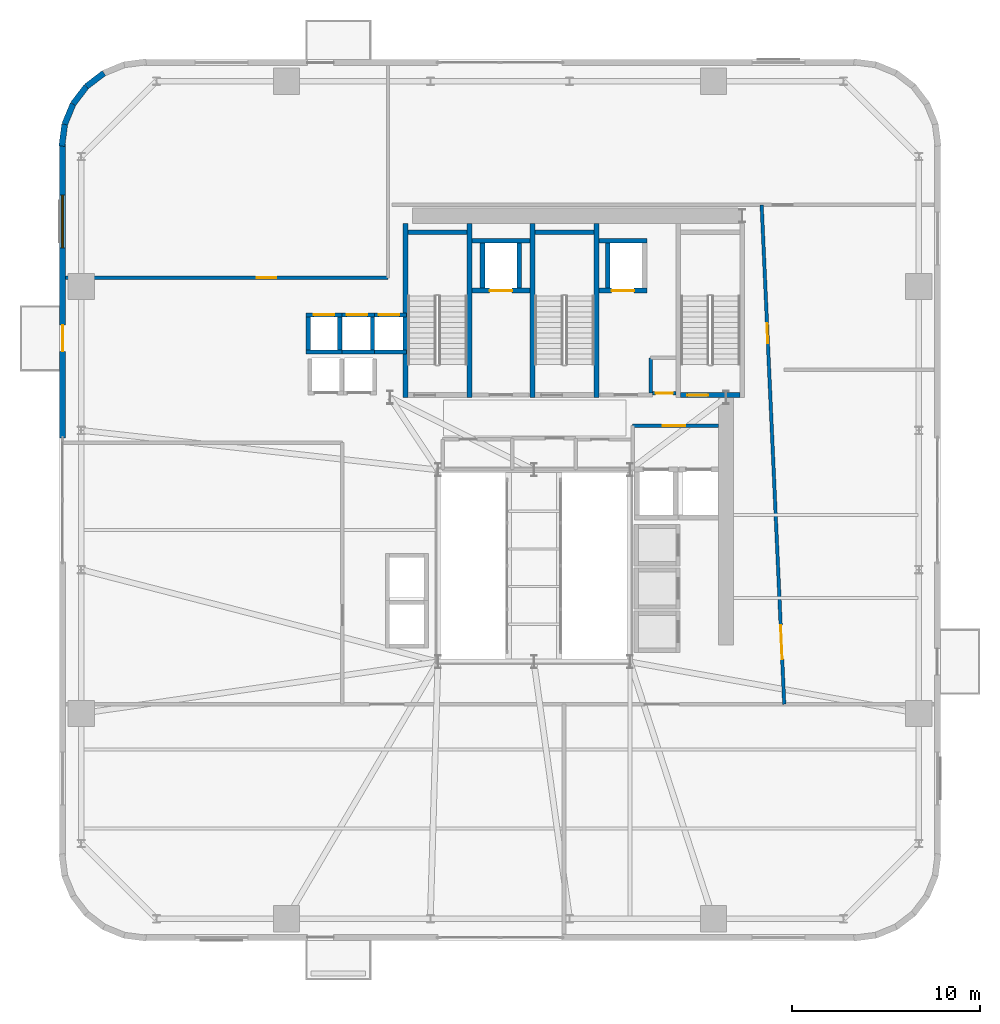
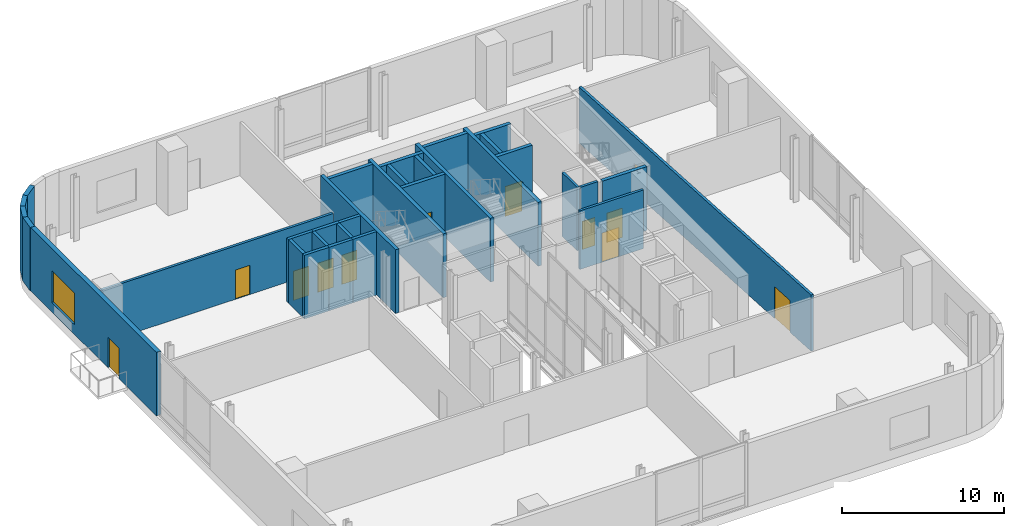
# One storey, part 10 of 14: 33 walls, 12 doors, 1 window, 13 openings.
"""IFC4 building model written with IfcOpenShell, lengths in metres."""

from ifc_helpers import new_model, si_unit, direction, frame, frame_2d, origin, place, context, subcontext, project, spatial, rectangle, extrude, source, transform, mapped, material, layer, layer_set, type_object, element, fill, save


model = new_model("IFC4")

# Units and contexts
model_context = context("Model", 3, precision=1e-05, world=origin(), true_north=direction((0.0, 1.0)))
body_context = subcontext(model_context, "Body", "Model", "MODEL_VIEW")
ifc_project = project(units=[si_unit("LENGTHUNIT", "METRE"), si_unit("AREAUNIT", "SQUARE_METRE"), si_unit("VOLUMEUNIT", "CUBIC_METRE"), si_unit("PLANEANGLEUNIT", "RADIAN"), si_unit("MASSUNIT", "GRAM", prefix="KILO")], contexts=[model_context])

# Site, building, storey
site_placement = place(None, origin())
site = spatial("IfcSite", under=ifc_project, at=site_placement, CompositionType="ELEMENT")
building_placement = place(site_placement, origin())
building = spatial("IfcBuilding", under=site, at=building_placement, Name="Vardaveli Station Tower", CompositionType="ELEMENT")
storey_placement = place(building_placement, frame((0.0, 0.0, 172.199951171875)))
storey = spatial("IfcBuildingStorey", under=building, at=storey_placement, Name="L44", CompositionType="ELEMENT", Elevation=172.199951171875)

# Wall, openings, door, window
ifc_material_1 = material(Name="Precast concrete C45/55", Category="concrete")
ifc_layer_1 = layer(ifc_material_1, 0.320068359375, Name="Precast concrete C45/55")
ifc_layer_set_1 = layer_set([ifc_layer_1], Name="Precast concrete C45/55")
wall_type_1 = type_object("IfcWallType", Name="WAL-EXT-STONE-320", PredefinedType="SOLIDWALL", material=ifc_layer_set_1)
shared_shape_1 = source(origin(), body_context, "Body", "SweptSolid", [
    extrude(rectangle(XDim=15.60009765625, YDim=0.320068359375, at=frame_2d((7.800048828125, 0.0))), origin(), (0.0, 0.0, 1.0), 4.780029296875),
])
wall_1_placement = place(storey_placement, frame((11.260009765625, 44.10009765625, 0.0), z_axis=(0.0, 0.0, 1.0), x_axis=(0.0, -1.0, 0.0)))
wall_1 = element("IfcWall", 1, at=wall_1_placement, inside=storey, type_object=wall_type_1, Name="EW-L44-W1", PredefinedType="SOLIDWALL", context=body_context, shape_type="MappedRepresentation", body=[
    mapped(shared_shape_1, transform((0.0, 0.0, 0.0), scale=1.0)),
])
shared_shape_2 = source(origin(), body_context, "Body", "SweptSolid", [
    extrude(rectangle(XDim=1.39990234375, YDim=2.300048828125, at=frame_2d((0.699951171875, 1.14990234375))), frame((0.0, 0.169921875, 0.0), z_axis=(0.0, -1.0, 0.0), x_axis=(1.0, 0.0, 0.0)), (0.0, 0.0, 1.0), 0.340087890625),
])
opening_1_placement = place(wall_1_placement, frame((9.6103515625, 0.0, 0.0)))
opening_1 = element("IfcOpeningElement", 2, at=opening_1_placement, cuts=wall_1, Name="Opening D-09", PredefinedType="OPENING", context=body_context, shape_type="MappedRepresentation", body=[
    mapped(shared_shape_2, transform((0.0, 0.0, 0.0), scale=1.0)),
])
shared_shape_3 = source(origin(), body_context, "Body", "SweptSolid", [
    extrude(rectangle(XDim=2.800048828125, YDim=2.39990234375, at=frame_2d((1.39990234375, 1.199951171875))), frame((0.0, 0.169921875, 0.0), z_axis=(0.0, -1.0, 0.0), x_axis=(1.0, 0.0, 0.0)), (0.0, 0.0, 1.0), 0.340087890625),
])
opening_2_placement = place(wall_1_placement, frame((2.705078125, 0.0, 0.719970703125)))
opening_2 = element("IfcOpeningElement", 3, at=opening_2_placement, cuts=wall_1, Name="Opening W-04", PredefinedType="OPENING", context=body_context, shape_type="MappedRepresentation", body=[
    mapped(shared_shape_3, transform((0.0, 0.0, 0.0), scale=1.0)),
])
ifc_material_2 = material(Name="Thermally broken aluminium glass", Category="aluminium")
door_type_1 = type_object("IfcDoorType", Name="DR-LOG-1400x2300", OperationType="DOUBLE_DOOR_SLIDING", PredefinedType="DOOR", material=ifc_material_2)
shared_shape_4 = source(origin(), body_context, "Body", "SweptSolid", [
    extrude(rectangle(XDim=1.39990234375, YDim=2.300048828125, at=frame_2d((0.699951171875, 1.14990234375))), frame((0.0, 0.02490234375, 0.0), z_axis=(0.0, -1.0, 0.0), x_axis=(1.0, 0.0, 0.0)), (0.0, 0.0, 1.0), 0.050048828125),
])
door_1_placement = place(opening_1_placement, frame((1.39990234375, 0.0, 0.0), z_axis=(0.0, 0.0, 1.0), x_axis=(-1.0, 0.0, 0.0)))
door_1 = element("IfcDoor", 4, at=door_1_placement, inside=storey, type_object=door_type_1, Name="DLG-L44-W", OperationType="DOUBLE_DOOR_SLIDING", OverallHeight=2.300048828125, OverallWidth=1.39990234375, PredefinedType="DOOR", context=body_context, shape_type="MappedRepresentation", body=[
    mapped(shared_shape_4, transform((0.0, 0.0, 0.0), scale=1.0)),
])
fill(opening_1, door_1)
ifc_material_3 = material(Name="Low-E solar-control glass", Category="glass")
window_type = type_object("IfcWindowType", Name="WIN-SUITE-2800x2400", PartitioningType="SINGLE_PANEL", PredefinedType="WINDOW", material=ifc_material_3)
shared_shape_5 = source(origin(), body_context, "Body", "SweptSolid", [
    extrude(rectangle(XDim=2.800048828125, YDim=2.39990234375, at=frame_2d((1.39990234375, 1.199951171875))), frame((0.0, 0.030029296875, 0.0), z_axis=(0.0, -1.0, 0.0), x_axis=(1.0, 0.0, 0.0)), (0.0, 0.0, 1.0), 0.06005859375),
])
window_placement = place(opening_2_placement, origin())
window = element("IfcWindow", 5, at=window_placement, inside=storey, type_object=window_type, Name="WN-L44-W1", OverallHeight=2.39990234375, OverallWidth=2.800048828125, PartitioningType="SINGLE_PANEL", PredefinedType="WINDOW", context=body_context, shape_type="MappedRepresentation", body=[
    mapped(shared_shape_5, transform((0.0, 0.0, 0.0), scale=1.0)),
])
fill(opening_2, window)

# Walls
shared_shape_6 = source(origin(), body_context, "Body", "SweptSolid", [
    extrude(rectangle(XDim=1.1689453125, YDim=0.320068359375, at=frame_2d((0.58447265625, 0.0))), origin(), (0.0, 0.0, 1.0), 4.780029296875),
])
wall_2_placement = place(storey_placement, frame((12.53125, 47.1689453125, 0.0), z_axis=(0.0, 0.0, 1.0), x_axis=(-0.608387696831, -0.793639975269, 0.0)))
element("IfcWall", 6, at=wall_2_placement, inside=storey, type_object=wall_type_1, Name="EW-L44-CR4-4", PredefinedType="SOLIDWALL", context=body_context, shape_type="MappedRepresentation", body=[
    mapped(shared_shape_6, transform((0.0, 0.0, 0.0), scale=1.0)),
])
shared_shape_7 = source(origin(), body_context, "Body", "SweptSolid", [
    extrude(rectangle(XDim=1.168701171875, YDim=0.320068359375, at=frame_2d((0.58447265625, 0.0))), origin(), (0.0, 0.0, 1.0), 4.780029296875),
])
wall_3_placement = place(storey_placement, frame((13.458740234375, 47.8798828125, 0.0), z_axis=(0.0, 0.0, 1.0), x_axis=(-0.793663520347, -0.608356981114, 0.0)))
element("IfcWall", 7, at=wall_3_placement, inside=storey, type_object=wall_type_1, Name="EW-L44-CR4-3", PredefinedType="SOLIDWALL", context=body_context, shape_type="MappedRepresentation", body=[
    mapped(shared_shape_7, transform((0.0, 0.0, 0.0), scale=1.0)),
])
shared_shape_8 = source(origin(), body_context, "Body", "SweptSolid", [
    extrude(rectangle(XDim=1.17041015625, YDim=0.320068359375, at=frame_2d((0.585205078125, 0.0))), origin(), (0.0, 0.0, 1.0), 4.780029296875),
])
wall_4_placement = place(storey_placement, frame((11.37451171875, 45.16015625, 0.0), z_axis=(0.0, 0.0, 1.0), x_axis=(-0.128295670475, -0.991735963317, 0.0)))
element("IfcWall", 8, at=wall_4_placement, inside=storey, type_object=wall_type_1, Name="EW-L44-CR4-6", PredefinedType="SOLIDWALL", context=body_context, shape_type="MappedRepresentation", body=[
    mapped(shared_shape_8, transform((0.0, 0.0, 0.0), scale=1.0)),
])
shared_shape_9 = source(origin(), body_context, "Body", "SweptSolid", [
    extrude(rectangle(XDim=1.169189453125, YDim=0.320068359375, at=frame_2d((0.58447265625, 0.0))), origin(), (0.0, 0.0, 1.0), 4.780029296875),
])
wall_5_placement = place(storey_placement, frame((11.820068359375, 46.2412109375, 0.0), z_axis=(0.0, 0.0, 1.0), x_axis=(-0.381054331552, -0.924552646638, 0.0)))
element("IfcWall", 9, at=wall_5_placement, inside=storey, type_object=wall_type_1, Name="EW-L44-CR4-5", PredefinedType="SOLIDWALL", context=body_context, shape_type="MappedRepresentation", body=[
    mapped(shared_shape_9, transform((0.0, 0.0, 0.0), scale=1.0)),
])
ifc_material_4 = material(Name="Concrete C40/50", Category="concrete")
ifc_layer_2 = layer(ifc_material_4, 0.25, Name="Concrete C40/50")
ifc_layer_set_2 = layer_set([ifc_layer_2], Name="Concrete C40/50")
wall_type_2 = type_object("IfcWallType", Name="WAL-SHAFT-250", PredefinedType="SOLIDWALL", material=ifc_layer_set_2)
shared_shape_10 = source(origin(), body_context, "Body", "SweptSolid", [
    extrude(rectangle(XDim=9.25, YDim=0.25, at=frame_2d((4.625, 0.0))), origin(), (0.0, 0.0, 1.0), 4.800048828125),
])
for number, where, z_axis, x_axis, name in (
    (10, (29.47509765625, 30.64990234375, 0.0), (0.0, 0.0, 1.0), (0.0, 1.0, 0.0), "W-L44-ST-1W"),
    (11, (32.875, 30.64990234375, 0.0), (0.0, 0.0, 1.0), (0.0, 1.0, 0.0), "W-L44-ST-1E"),
    (12, (36.22509765625, 30.64990234375, 0.0), (0.0, 0.0, 1.0), (0.0, 1.0, 0.0), "W-L44-ST-2W"),
    (13, (39.625, 30.64990234375, 0.0), (0.0, 0.0, 1.0), (0.0, 1.0, 0.0), "W-L44-ST-2E"),
):
    element("IfcWall", number, at=place(storey_placement, frame(where, z_axis=z_axis, x_axis=x_axis)), inside=storey, type_object=wall_type_2, Name=name, PredefinedType="SOLIDWALL", context=body_context, shape_type="MappedRepresentation", body=[
        mapped(shared_shape_10, transform((0.0, 0.0, 0.0), scale=1.0)),
    ])
shared_shape_11 = source(origin(), body_context, "Body", "SweptSolid", [
    extrude(rectangle(XDim=3.14990234375, YDim=0.25, at=frame_2d((1.574951171875, 0.0))), origin(), (0.0, 0.0, 1.0), 4.800048828125),
])
for number, where, z_axis, x_axis, name in (
    (14, (29.60009765625, 39.425048828125, 0.0), (0.0, 0.0, 1.0), (1.0, 0.0, 0.0), "W-L44-ST-1N"),
    (15, (36.35009765625, 39.425048828125, 0.0), (0.0, 0.0, 1.0), (1.0, 0.0, 0.0), "W-L44-ST-2N"),
):
    element("IfcWall", number, at=place(storey_placement, frame(where, z_axis=z_axis, x_axis=x_axis)), inside=storey, type_object=wall_type_2, Name=name, PredefinedType="SOLIDWALL", context=body_context, shape_type="MappedRepresentation", body=[
        mapped(shared_shape_11, transform((0.0, 0.0, 0.0), scale=1.0)),
    ])

# Wall, opening, door
wall_6_placement = place(storey_placement, frame((44.10009765625, 30.77490234375, 0.0), z_axis=(0.0, 0.0, 1.0), x_axis=(1.0, 0.0, 0.0)))
wall_6 = element("IfcWall", 16, at=wall_6_placement, inside=storey, type_object=wall_type_2, Name="W-L44-ST-3S", PredefinedType="SOLIDWALL", context=body_context, shape_type="MappedRepresentation", body=[
    mapped(shared_shape_11, transform((0.0, 0.0, 0.0), scale=1.0)),
])
shared_shape_12 = source(origin(), body_context, "Body", "SweptSolid", [
    extrude(rectangle(XDim=1.10009765625, YDim=2.199951171875, at=frame_2d((0.550048828125, 1.10009765625))), frame((0.0, 0.135009765625, 0.0), z_axis=(0.0, -1.0, 0.0), x_axis=(1.0, 0.0, 0.0)), (0.0, 0.0, 1.0), 0.27001953125),
])
opening_3_placement = place(wall_6_placement, frame((0.35009765625, 0.0, 0.0)))
opening_3 = element("IfcOpeningElement", 17, at=opening_3_placement, cuts=wall_6, Name="Opening D-04", PredefinedType="OPENING", context=body_context, shape_type="MappedRepresentation", body=[
    mapped(shared_shape_12, transform((0.0, 0.0, 0.0), scale=1.0)),
])
ifc_material_5 = material(Name="Steel smokeproof fire doorset", Category="steel")
door_type_2 = type_object("IfcDoorType", Name="DR-ST-1100x2200", OperationType="NOTDEFINED", PredefinedType="DOOR", material=ifc_material_5)
shared_shape_13 = source(origin(), body_context, "Body", "SweptSolid", [
    extrude(rectangle(XDim=1.10009765625, YDim=2.199951171875, at=frame_2d((0.550048828125, 1.10009765625))), frame((0.0, 0.02490234375, 0.0), z_axis=(0.0, -1.0, 0.0), x_axis=(1.0, 0.0, 0.0)), (0.0, 0.0, 1.0), 0.050048828125),
])
door_2_placement = place(opening_3_placement, origin())
door_2 = element("IfcDoor", 18, at=door_2_placement, inside=storey, type_object=door_type_2, Name="DST-3-L44", OperationType="SINGLE_SWING_LEFT", OverallHeight=2.199951171875, OverallWidth=1.10009765625, PredefinedType="DOOR", context=body_context, shape_type="MappedRepresentation", body=[
    mapped(shared_shape_13, transform((0.0, 0.0, 0.0), scale=1.0)),
])
fill(opening_3, door_2)

# Wall
ifc_layer_3 = layer(ifc_material_4, 0.219970703125, Name="Concrete C40/50")
ifc_layer_set_3 = layer_set([ifc_layer_3], Name="Concrete C40/50")
wall_type_3 = type_object("IfcWallType", Name="WAL-FFLOBBY-220", PredefinedType="SOLIDWALL", material=ifc_layer_set_3)
shared_shape_14 = source(origin(), body_context, "Body", "SweptSolid", [
    extrude(rectangle(XDim=1.889892578125, YDim=0.219970703125, at=frame_2d((0.94482421875, 0.0))), origin(), (0.0, 0.0, 1.0), 4.780029296875),
])
wall_7_placement = place(storey_placement, frame((24.205078125, 33.06494140625, 0.0), z_axis=(0.0, 0.0, 1.0), x_axis=(1.0, 0.0, 0.0)))
element("IfcWall", 19, at=wall_7_placement, inside=storey, type_object=wall_type_3, Name="SHW-HL2-01-L44-S", PredefinedType="SOLIDWALL", context=body_context, shape_type="MappedRepresentation", body=[
    mapped(shared_shape_14, transform((0.0, 0.0, 0.0), scale=1.0)),
])

# Wall, opening, door
wall_8_placement = place(storey_placement, frame((24.205078125, 35.034912109375, 0.0), z_axis=(0.0, 0.0, 1.0), x_axis=(1.0, 0.0, 0.0)))
wall_8 = element("IfcWall", 20, at=wall_8_placement, inside=storey, type_object=wall_type_3, Name="SHW-HL2-01-L44-N", PredefinedType="SOLIDWALL", context=body_context, shape_type="MappedRepresentation", body=[
    mapped(shared_shape_14, transform((0.0, 0.0, 0.0), scale=1.0)),
])
shared_shape_15 = source(origin(), body_context, "Body", "SweptSolid", [
    extrude(rectangle(XDim=1.10009765625, YDim=2.199951171875, at=frame_2d((0.550048828125, 1.10009765625))), frame((0.0, 0.1201171875, 0.0), z_axis=(0.0, -1.0, 0.0), x_axis=(1.0, 0.0, 0.0)), (0.0, 0.0, 1.0), 0.239990234375),
])
opening_4_placement = place(wall_8_placement, frame((0.39501953125, 0.0, 0.0)))
opening_4 = element("IfcOpeningElement", 21, at=opening_4_placement, cuts=wall_8, Name="Opening LD-01", PredefinedType="OPENING", context=body_context, shape_type="MappedRepresentation", body=[
    mapped(shared_shape_15, transform((0.0, 0.0, 0.0), scale=1.0)),
])
ifc_material_6 = material(Name="Brushed stainless steel", Category="steel")
door_type_3 = type_object("IfcDoorType", Name="DR-LD-1100x2200", OperationType="DOUBLE_DOOR_SLIDING", PredefinedType="DOOR", material=ifc_material_6)
door_3_placement = place(opening_4_placement, origin())
door_3 = element("IfcDoor", 22, at=door_3_placement, inside=storey, type_object=door_type_3, Name="LD-HL2-01-L44", OperationType="DOUBLE_DOOR_SLIDING", OverallHeight=2.199951171875, OverallWidth=1.10009765625, PredefinedType="DOOR", context=body_context, shape_type="MappedRepresentation", body=[
    mapped(shared_shape_13, transform((0.0, 0.0, 0.0), scale=1.0)),
])
fill(opening_4, door_3)

# Wall
wall_9_placement = place(storey_placement, frame((25.955078125, 33.06494140625, 0.0), z_axis=(0.0, 0.0, 1.0), x_axis=(1.0, 0.0, 0.0)))
element("IfcWall", 23, at=wall_9_placement, inside=storey, type_object=wall_type_3, Name="SHW-HL2-02-L44-S", PredefinedType="SOLIDWALL", context=body_context, shape_type="MappedRepresentation", body=[
    mapped(shared_shape_14, transform((0.0, 0.0, 0.0), scale=1.0)),
])

# Wall, opening, door
wall_10_placement = place(storey_placement, frame((25.955078125, 35.034912109375, 0.0), z_axis=(0.0, 0.0, 1.0), x_axis=(1.0, 0.0, 0.0)))
wall_10 = element("IfcWall", 24, at=wall_10_placement, inside=storey, type_object=wall_type_3, Name="SHW-HL2-02-L44-N", PredefinedType="SOLIDWALL", context=body_context, shape_type="MappedRepresentation", body=[
    mapped(shared_shape_14, transform((0.0, 0.0, 0.0), scale=1.0)),
])
opening_5_placement = place(wall_10_placement, frame((0.39501953125, 0.0, 0.0)))
opening_5 = element("IfcOpeningElement", 25, at=opening_5_placement, cuts=wall_10, Name="Opening LD-01", PredefinedType="OPENING", context=body_context, shape_type="MappedRepresentation", body=[
    mapped(shared_shape_15, transform((0.0, 0.0, 0.0), scale=1.0)),
])
door_4_placement = place(opening_5_placement, origin())
door_4 = element("IfcDoor", 26, at=door_4_placement, inside=storey, type_object=door_type_3, Name="LD-HL2-02-L44", OperationType="DOUBLE_DOOR_SLIDING", OverallHeight=2.199951171875, OverallWidth=1.10009765625, PredefinedType="DOOR", context=body_context, shape_type="MappedRepresentation", body=[
    mapped(shared_shape_13, transform((0.0, 0.0, 0.0), scale=1.0)),
])
fill(opening_5, door_4)

# Wall
wall_11_placement = place(storey_placement, frame((27.655029296875, 33.06494140625, 0.0), z_axis=(0.0, 0.0, 1.0), x_axis=(1.0, 0.0, 0.0)))
element("IfcWall", 27, at=wall_11_placement, inside=storey, type_object=wall_type_3, Name="SHW-HL2-03-L44-S", PredefinedType="SOLIDWALL", context=body_context, shape_type="MappedRepresentation", body=[
    mapped(shared_shape_14, transform((0.0, 0.0, 0.0), scale=1.0)),
])

# Wall, opening, door
wall_12_placement = place(storey_placement, frame((27.655029296875, 35.034912109375, 0.0), z_axis=(0.0, 0.0, 1.0), x_axis=(1.0, 0.0, 0.0)))
wall_12 = element("IfcWall", 28, at=wall_12_placement, inside=storey, type_object=wall_type_3, Name="SHW-HL2-03-L44-N", PredefinedType="SOLIDWALL", context=body_context, shape_type="MappedRepresentation", body=[
    mapped(shared_shape_14, transform((0.0, 0.0, 0.0), scale=1.0)),
])
opening_6_placement = place(wall_12_placement, frame((0.39501953125, 0.0, 0.0)))
opening_6 = element("IfcOpeningElement", 29, at=opening_6_placement, cuts=wall_12, Name="Opening LD-01", PredefinedType="OPENING", context=body_context, shape_type="MappedRepresentation", body=[
    mapped(shared_shape_15, transform((0.0, 0.0, 0.0), scale=1.0)),
])
door_5_placement = place(opening_6_placement, origin())
door_5 = element("IfcDoor", 30, at=door_5_placement, inside=storey, type_object=door_type_3, Name="LD-HL2-03-L44", OperationType="DOUBLE_DOOR_SLIDING", OverallHeight=2.199951171875, OverallWidth=1.10009765625, PredefinedType="DOOR", context=body_context, shape_type="MappedRepresentation", body=[
    mapped(shared_shape_13, transform((0.0, 0.0, 0.0), scale=1.0)),
])
fill(opening_6, door_5)

# Walls
shared_shape_16 = source(origin(), body_context, "Body", "SweptSolid", [
    extrude(rectangle(XDim=1.75, YDim=0.219970703125, at=frame_2d((0.875, 0.0))), origin(), (0.0, 0.0, 1.0), 4.780029296875),
])
for number, where, z_axis, x_axis, name in (
    (31, (24.31494140625, 33.175048828125, 0.0), (0.0, 0.0, 1.0), (0.0, 1.0, 0.0), "SHW-HL2-01-L44-W"),
    (32, (25.985107421875, 33.175048828125, 0.0), (0.0, 0.0, 1.0), (0.0, 1.0, 0.0), "SHW-HL2-01-L44-E"),
    (33, (27.735107421875, 33.175048828125, 0.0), (0.0, 0.0, 1.0), (0.0, 1.0, 0.0), "SHW-HL2-02-L44-E"),
):
    element("IfcWall", number, at=place(storey_placement, frame(where, z_axis=z_axis, x_axis=x_axis)), inside=storey, type_object=wall_type_3, Name=name, PredefinedType="SOLIDWALL", context=body_context, shape_type="MappedRepresentation", body=[
        mapped(shared_shape_16, transform((0.0, 0.0, 0.0), scale=1.0)),
    ])

# Wall, opening, door
shared_shape_17 = source(origin(), body_context, "Body", "SweptSolid", [
    extrude(rectangle(XDim=3.10009765625, YDim=0.25, at=frame_2d((1.550048828125, 0.0))), origin(), (0.0, 0.0, 1.0), 4.780029296875),
])
wall_13_placement = place(storey_placement, frame((33.0, 36.324951171875, 0.0), z_axis=(0.0, 0.0, 1.0), x_axis=(1.0, 0.0, 0.0)))
wall_13 = element("IfcWall", 34, at=wall_13_placement, inside=storey, type_object=wall_type_2, Name="SHW-FFL-01-L44-S", PredefinedType="SOLIDWALL", context=body_context, shape_type="MappedRepresentation", body=[
    mapped(shared_shape_17, transform((0.0, 0.0, 0.0), scale=1.0)),
])
shared_shape_18 = source(origin(), body_context, "Body", "SweptSolid", [
    extrude(rectangle(XDim=1.199951171875, YDim=2.25, at=frame_2d((0.60009765625, 1.125))), frame((0.0, 0.135009765625, 0.0), z_axis=(0.0, -1.0, 0.0), x_axis=(1.0, 0.0, 0.0)), (0.0, 0.0, 1.0), 0.27001953125),
])
opening_7_placement = place(wall_13_placement, frame((0.949951171875, 0.0, 0.0)))
opening_7 = element("IfcOpeningElement", 35, at=opening_7_placement, cuts=wall_13, Name="Opening LD-02", PredefinedType="OPENING", context=body_context, shape_type="MappedRepresentation", body=[
    mapped(shared_shape_18, transform((0.0, 0.0, 0.0), scale=1.0)),
])
door_type_4 = type_object("IfcDoorType", Name="DR-LD-1200x2250", OperationType="DOUBLE_DOOR_SLIDING", PredefinedType="DOOR", material=ifc_material_6)
shared_shape_19 = source(origin(), body_context, "Body", "SweptSolid", [
    extrude(rectangle(XDim=1.199951171875, YDim=2.25, at=frame_2d((0.60009765625, 1.125))), frame((0.0, 0.02490234375, 0.0), z_axis=(0.0, -1.0, 0.0), x_axis=(1.0, 0.0, 0.0)), (0.0, 0.0, 1.0), 0.050048828125),
])
door_6_placement = place(opening_7_placement, origin())
door_6 = element("IfcDoor", 36, at=door_6_placement, inside=storey, type_object=door_type_4, Name="LD-FFL-01-L44", OperationType="DOUBLE_DOOR_SLIDING", OverallHeight=2.25, OverallWidth=1.199951171875, PredefinedType="DOOR", context=body_context, shape_type="MappedRepresentation", body=[
    mapped(shared_shape_19, transform((0.0, 0.0, 0.0), scale=1.0)),
])
fill(opening_7, door_6)

# Walls
wall_14_placement = place(storey_placement, frame((33.0, 38.97509765625, 0.0), z_axis=(0.0, 0.0, 1.0), x_axis=(1.0, 0.0, 0.0)))
element("IfcWall", 37, at=wall_14_placement, inside=storey, type_object=wall_type_2, Name="SHW-FFL-01-L44-N", PredefinedType="SOLIDWALL", context=body_context, shape_type="MappedRepresentation", body=[
    mapped(shared_shape_17, transform((0.0, 0.0, 0.0), scale=1.0)),
])
shared_shape_20 = source(origin(), body_context, "Body", "SweptSolid", [
    extrude(rectangle(XDim=2.400146484375, YDim=0.25, at=frame_2d((1.2001953125, 0.0))), origin(), (0.0, 0.0, 1.0), 4.780029296875),
])
for number, where, z_axis, x_axis, name in (
    (38, (33.574951171875, 36.449951171875, 0.0), (0.0, 0.0, 1.0), (0.0, 1.0, 0.0), "SHW-FFL-01-L44-W"),
    (39, (35.52490234375, 36.449951171875, 0.0), (0.0, 0.0, 1.0), (0.0, 1.0, 0.0), "SHW-FFL-01-L44-E"),
    (40, (40.22509765625, 36.449951171875, 0.0), (0.0, 0.0, 1.0), (0.0, 1.0, 0.0), "SHW-FFL-02-L44-W"),
):
    element("IfcWall", number, at=place(storey_placement, frame(where, z_axis=z_axis, x_axis=x_axis)), inside=storey, type_object=wall_type_2, Name=name, PredefinedType="SOLIDWALL", context=body_context, shape_type="MappedRepresentation", body=[
        mapped(shared_shape_20, transform((0.0, 0.0, 0.0), scale=1.0)),
    ])

# Wall, opening, door
shared_shape_21 = source(origin(), body_context, "Body", "SweptSolid", [
    extrude(rectangle(XDim=2.550048828125, YDim=0.25, at=frame_2d((1.27490234375, 0.0))), origin(), (0.0, 0.0, 1.0), 4.780029296875),
])
wall_15_placement = place(storey_placement, frame((39.75, 36.324951171875, 0.0), z_axis=(0.0, 0.0, 1.0), x_axis=(1.0, 0.0, 0.0)))
wall_15 = element("IfcWall", 41, at=wall_15_placement, inside=storey, type_object=wall_type_2, Name="SHW-FFL-02-L44-S", PredefinedType="SOLIDWALL", context=body_context, shape_type="MappedRepresentation", body=[
    mapped(shared_shape_21, transform((0.0, 0.0, 0.0), scale=1.0)),
])
opening_8_placement = place(wall_15_placement, frame((0.675048828125, 0.0, 0.0)))
opening_8 = element("IfcOpeningElement", 42, at=opening_8_placement, cuts=wall_15, Name="Opening LD-02", PredefinedType="OPENING", context=body_context, shape_type="MappedRepresentation", body=[
    mapped(shared_shape_18, transform((0.0, 0.0, 0.0), scale=1.0)),
])
door_7_placement = place(opening_8_placement, origin())
door_7 = element("IfcDoor", 43, at=door_7_placement, inside=storey, type_object=door_type_4, Name="LD-FFL-02-L44", OperationType="DOUBLE_DOOR_SLIDING", OverallHeight=2.25, OverallWidth=1.199951171875, PredefinedType="DOOR", context=body_context, shape_type="MappedRepresentation", body=[
    mapped(shared_shape_19, transform((0.0, 0.0, 0.0), scale=1.0)),
])
fill(opening_8, door_7)

# Wall
wall_16_placement = place(storey_placement, frame((39.75, 38.97509765625, 0.0), z_axis=(0.0, 0.0, 1.0), x_axis=(1.0, 0.0, 0.0)))
element("IfcWall", 44, at=wall_16_placement, inside=storey, type_object=wall_type_2, Name="SHW-FFL-02-L44-N", PredefinedType="SOLIDWALL", context=body_context, shape_type="MappedRepresentation", body=[
    mapped(shared_shape_21, transform((0.0, 0.0, 0.0), scale=1.0)),
])

# Wall, openings, doors
ifc_material_7 = material(Name="Fire-rated gypsum stud partition")
ifc_layer_4 = layer(ifc_material_7, 0.179931640625, Name="Fire-rated gypsum stud partition")
ifc_layer_set_4 = layer_set([ifc_layer_4], Name="Fire-rated gypsum stud partition")
wall_type_4 = type_object("IfcWallType", Name="WAL-CORR-180", PredefinedType="PARTITIONING", material=ifc_layer_set_4)
shared_shape_22 = source(origin(), body_context, "Body", "SweptSolid", [
    extrude(rectangle(XDim=26.556884765625, YDim=0.179931640625, at=frame_2d((13.2783203125, 0.0))), origin(), (0.0, 0.0, 1.0), 4.22216796875),
])
wall_17_placement = place(storey_placement, frame((49.60009765625, 14.35009765625, 0.0), z_axis=(0.0, 0.0, 1.0), x_axis=(-0.045193318299, 0.998978260014, 0.0)))
wall_17 = element("IfcWall", 45, at=wall_17_placement, inside=storey, type_object=wall_type_4, Name="W-L44-VIPE", PredefinedType="PARTITIONING", context=body_context, shape_type="MappedRepresentation", body=[
    mapped(shared_shape_22, transform((0.0, 0.0, 0.0), scale=1.0)),
])
shared_shape_23 = source(origin(), body_context, "Body", "SweptSolid", [
    extrude(rectangle(XDim=1.800048828125, YDim=2.39990234375, at=frame_2d((0.89990234375, 1.199951171875))), frame((0.0, 0.10009765625, 0.0), z_axis=(0.0, -1.0, 0.0), x_axis=(1.0, 0.0, 0.0)), (0.0, 0.0, 1.0), 0.199951171875),
])
opening_9_placement = place(wall_17_placement, frame((2.39990234375, 0.0, 0.0)))
opening_9 = element("IfcOpeningElement", 46, at=opening_9_placement, cuts=wall_17, Name="Opening D-01", PredefinedType="OPENING", context=body_context, shape_type="MappedRepresentation", body=[
    mapped(shared_shape_23, transform((0.0, 0.0, 0.0), scale=1.0)),
])
shared_shape_24 = source(origin(), body_context, "Body", "SweptSolid", [
    extrude(rectangle(XDim=1.050048828125, YDim=2.199951171875, at=frame_2d((0.52490234375, 1.10009765625))), frame((0.0, 0.10009765625, 0.0), z_axis=(0.0, -1.0, 0.0), x_axis=(1.0, 0.0, 0.0)), (0.0, 0.0, 1.0), 0.199951171875),
])
opening_10_placement = place(wall_17_placement, frame((19.199951171875, 0.0, 0.0)))
opening_10 = element("IfcOpeningElement", 47, at=opening_10_placement, cuts=wall_17, Name="Opening D-05", PredefinedType="OPENING", context=body_context, shape_type="MappedRepresentation", body=[
    mapped(shared_shape_24, transform((0.0, 0.0, 0.0), scale=1.0)),
])
ifc_material_8 = material(Name="Acoustic hardwood fire doorset", Category="wood")
door_type_5 = type_object("IfcDoorType", Name="DR-BALL-1800x2400", OperationType="DOUBLE_DOOR_SINGLE_SWING", PredefinedType="DOOR", material=ifc_material_8)
shared_shape_25 = source(origin(), body_context, "Body", "SweptSolid", [
    extrude(rectangle(XDim=1.800048828125, YDim=2.39990234375, at=frame_2d((0.89990234375, 1.199951171875))), frame((0.0, 0.02490234375, 0.0), z_axis=(0.0, -1.0, 0.0), x_axis=(1.0, 0.0, 0.0)), (0.0, 0.0, 1.0), 0.050048828125),
])
door_8_placement = place(opening_9_placement, origin())
door_8 = element("IfcDoor", 48, at=door_8_placement, inside=storey, type_object=door_type_5, Name="D-L44-VIP", OperationType="DOUBLE_DOOR_SINGLE_SWING", OverallHeight=2.39990234375, OverallWidth=1.800048828125, PredefinedType="DOOR", context=body_context, shape_type="MappedRepresentation", body=[
    mapped(shared_shape_25, transform((0.0, 0.0, 0.0), scale=1.0)),
])
fill(opening_9, door_8)
ifc_material_9 = material(Name="Walnut veneer acoustic fire door")
door_type_6 = type_object("IfcDoorType", Name="DR-SUITE-1050x2200", OperationType="NOTDEFINED", PredefinedType="DOOR", material=ifc_material_9)
shared_shape_26 = source(origin(), body_context, "Body", "SweptSolid", [
    extrude(rectangle(XDim=1.050048828125, YDim=2.199951171875, at=frame_2d((0.52490234375, 1.10009765625))), frame((0.0, 0.02490234375, 0.0), z_axis=(0.0, -1.0, 0.0), x_axis=(1.0, 0.0, 0.0)), (0.0, 0.0, 1.0), 0.050048828125),
])
door_9_placement = place(opening_10_placement, origin())
door_9 = element("IfcDoor", 49, at=door_9_placement, inside=storey, type_object=door_type_6, Name="D-L44-NWG", OperationType="SINGLE_SWING_LEFT", OverallHeight=2.199951171875, OverallWidth=1.050048828125, PredefinedType="DOOR", context=body_context, shape_type="MappedRepresentation", body=[
    mapped(shared_shape_26, transform((0.0, 0.0, 0.0), scale=1.0)),
])
fill(opening_10, door_9)

# Wall, opening, door
shared_shape_27 = source(origin(), body_context, "Body", "SweptSolid", [
    extrude(rectangle(XDim=17.1279296875, YDim=0.179931640625, at=frame_2d((8.56396484375, 0.0))), origin(), (0.0, 0.0, 1.0), 4.02197265625),
])
wall_18_placement = place(storey_placement, frame((11.422119140625, 37.0, 0.0), z_axis=(0.0, 0.0, 1.0), x_axis=(1.0, 0.0, 0.0)))
wall_18 = element("IfcWall", 50, at=wall_18_placement, inside=storey, type_object=wall_type_4, Name="W-L44-NWC-S", PredefinedType="PARTITIONING", context=body_context, shape_type="MappedRepresentation", body=[
    mapped(shared_shape_27, transform((0.0, 0.0, 0.0), scale=1.0)),
])
opening_11_placement = place(wall_18_placement, frame((10.14794921875, 0.0, 0.0)))
opening_11 = element("IfcOpeningElement", 51, at=opening_11_placement, cuts=wall_18, Name="Opening D-05", PredefinedType="OPENING", context=body_context, shape_type="MappedRepresentation", body=[
    mapped(shared_shape_24, transform((0.0, 0.0, 0.0), scale=1.0)),
])
door_10_placement = place(opening_11_placement, origin())
door_10 = element("IfcDoor", 52, at=door_10_placement, inside=storey, type_object=door_type_6, Name="D-L44-NWC", OperationType="SINGLE_SWING_RIGHT", OverallHeight=2.199951171875, OverallWidth=1.050048828125, PredefinedType="DOOR", context=body_context, shape_type="MappedRepresentation", body=[
    mapped(shared_shape_26, transform((0.0, 0.0, 0.0), scale=1.0)),
])
fill(opening_11, door_10)

shared_shape_28 = source(origin(), body_context, "Body", "SweptSolid", [
    extrude(rectangle(XDim=4.5478515625, YDim=0.179931640625, at=frame_2d((2.27392578125, 0.0))), origin(), (0.0, 0.0, 1.0), 4.412109375),
])
wall_19_placement = place(storey_placement, frame((41.550048828125, 29.14990234375, 0.0), z_axis=(0.0, 0.0, 1.0), x_axis=(1.0, 0.0, 0.0)))
wall_19 = element("IfcWall", 53, at=wall_19_placement, inside=storey, type_object=wall_type_4, Name="W-L44-SVFN", PredefinedType="PARTITIONING", context=body_context, shape_type="MappedRepresentation", body=[
    mapped(shared_shape_28, transform((0.0, 0.0, 0.0), scale=1.0)),
])
shared_shape_29 = source(origin(), body_context, "Body", "SweptSolid", [
    extrude(rectangle(XDim=1.199951171875, YDim=2.199951171875, at=frame_2d((0.60009765625, 1.10009765625))), frame((0.0, 0.10009765625, 0.0), z_axis=(0.0, -1.0, 0.0), x_axis=(1.0, 0.0, 0.0)), (0.0, 0.0, 1.0), 0.199951171875),
])
opening_12_placement = place(wall_19_placement, frame((1.60009765625, 0.0, 0.0)))
opening_12 = element("IfcOpeningElement", 54, at=opening_12_placement, cuts=wall_19, Name="Opening D-03", PredefinedType="OPENING", context=body_context, shape_type="MappedRepresentation", body=[
    mapped(shared_shape_29, transform((0.0, 0.0, 0.0), scale=1.0)),
])
door_type_7 = type_object("IfcDoorType", Name="DR-FFL-1200x2200", OperationType="NOTDEFINED", PredefinedType="DOOR", material=ifc_material_5)
shared_shape_30 = source(origin(), body_context, "Body", "SweptSolid", [
    extrude(rectangle(XDim=1.199951171875, YDim=2.199951171875, at=frame_2d((0.60009765625, 1.10009765625))), frame((0.0, 0.02490234375, 0.0), z_axis=(0.0, -1.0, 0.0), x_axis=(1.0, 0.0, 0.0)), (0.0, 0.0, 1.0), 0.050048828125),
])
door_11_placement = place(opening_12_placement, origin())
door_11 = element("IfcDoor", 55, at=door_11_placement, inside=storey, type_object=door_type_7, Name="D-L44-SVF", OperationType="SINGLE_SWING_RIGHT", OverallHeight=2.199951171875, OverallWidth=1.199951171875, PredefinedType="DOOR", context=body_context, shape_type="MappedRepresentation", body=[
    mapped(shared_shape_30, transform((0.0, 0.0, 0.0), scale=1.0)),
])
fill(opening_12, door_11)

shared_shape_31 = source(origin(), body_context, "Body", "SweptSolid", [
    extrude(rectangle(XDim=1.247802734375, YDim=0.179931640625, at=frame_2d((0.6240234375, 0.0))), origin(), (0.0, 0.0, 1.0), 4.780029296875),
])
wall_20_placement = place(storey_placement, frame((42.60009765625, 30.8798828125, 0.0), z_axis=(0.0, 0.0, 1.0), x_axis=(1.0, 0.0, 0.0)))
wall_20 = element("IfcWall", 56, at=wall_20_placement, inside=storey, type_object=wall_type_4, Name="W-L44-CBS2A-S", PredefinedType="PARTITIONING", context=body_context, shape_type="MappedRepresentation", body=[
    mapped(shared_shape_31, transform((0.0, 0.0, 0.0), scale=1.0)),
])
shared_shape_32 = source(origin(), body_context, "Body", "SweptSolid", [
    extrude(rectangle(XDim=0.919921875, YDim=2.10009765625, at=frame_2d((0.4599609375, 1.050048828125))), frame((0.0, 0.10009765625, 0.0), z_axis=(0.0, -1.0, 0.0), x_axis=(1.0, 0.0, 0.0)), (0.0, 0.0, 1.0), 0.199951171875),
])
opening_13_placement = place(wall_20_placement, frame((0.1640625, 0.0, 0.0)))
opening_13 = element("IfcOpeningElement", 57, at=opening_13_placement, cuts=wall_20, Name="Opening D-07", PredefinedType="OPENING", context=body_context, shape_type="MappedRepresentation", body=[
    mapped(shared_shape_32, transform((0.0, 0.0, 0.0), scale=1.0)),
])
ifc_material_10 = material(Name="Moisture-resistant hardwood door", Category="wood")
door_type_8 = type_object("IfcDoorType", Name="DR-WC-920x2100", OperationType="NOTDEFINED", PredefinedType="DOOR", material=ifc_material_10)
shared_shape_33 = source(origin(), body_context, "Body", "SweptSolid", [
    extrude(rectangle(XDim=0.919921875, YDim=2.10009765625, at=frame_2d((0.4599609375, 1.050048828125))), frame((0.0, 0.02490234375, 0.0), z_axis=(0.0, -1.0, 0.0), x_axis=(1.0, 0.0, 0.0)), (0.0, 0.0, 1.0), 0.050048828125),
])
door_12_placement = place(opening_13_placement, origin())
door_12 = element("IfcDoor", 58, at=door_12_placement, inside=storey, type_object=door_type_8, Name="D-L44-CBS1", OperationType="SINGLE_SWING_LEFT", OverallHeight=2.10009765625, OverallWidth=0.919921875, PredefinedType="DOOR", context=body_context, shape_type="MappedRepresentation", body=[
    mapped(shared_shape_33, transform((0.0, 0.0, 0.0), scale=1.0)),
])
fill(opening_13, door_12)

# Wall
shared_shape_34 = source(origin(), body_context, "Body", "SweptSolid", [
    extrude(rectangle(XDim=1.85791015625, YDim=0.179931640625, at=frame_2d((0.928955078125, 0.0))), origin(), (0.0, 0.0, 1.0), 4.780029296875),
])
wall_21_placement = place(storey_placement, frame((42.5, 30.89208984375, 0.0), z_axis=(0.0, 0.0, 1.0), x_axis=(0.0, 1.0, 0.0)))
element("IfcWall", 59, at=wall_21_placement, inside=storey, type_object=wall_type_4, Name="W-L44-CBS2A-W", PredefinedType="PARTITIONING", context=body_context, shape_type="MappedRepresentation", body=[
    mapped(shared_shape_34, transform((0.0, 0.0, 0.0), scale=1.0)),
])

save(model, "model.ifc")
